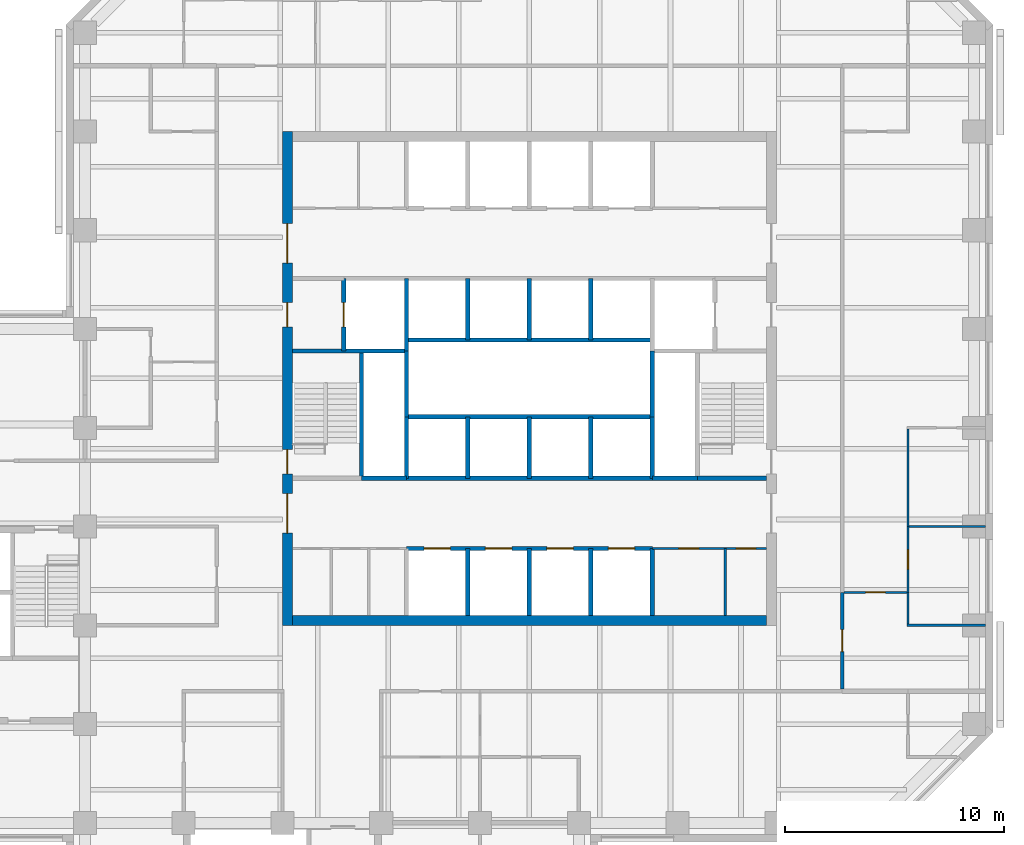
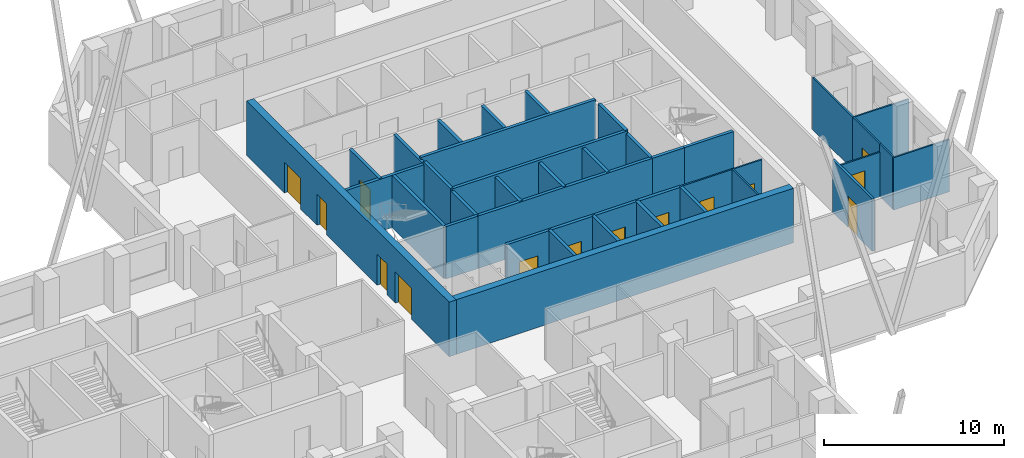
# One storey, part 7 of 11: 36 walls, 14 doors, 14 openings.
"""IFC4 building model written with IfcOpenShell, lengths in metres."""

from ifc_helpers import new_model, si_unit, direction, frame, frame_2d, origin, place, context, subcontext, project, spatial, rectangle, extrude, material, layer, layer_set, type_object, element, fill, save


model = new_model("IFC4")

# Units and contexts
model_context = context("Model", 3, precision=1e-05, world=origin(), true_north=direction((0.0, 1.0)))
body_context = subcontext(model_context, "Body", "Model", "MODEL_VIEW")
ifc_project = project(units=[si_unit("LENGTHUNIT", "METRE"), si_unit("AREAUNIT", "SQUARE_METRE"), si_unit("VOLUMEUNIT", "CUBIC_METRE"), si_unit("PLANEANGLEUNIT", "RADIAN"), si_unit("MASSUNIT", "GRAM", prefix="KILO")], contexts=[model_context])

# Site, building, storey
site_placement = place(None, origin())
site = spatial("IfcSite", under=ifc_project, at=site_placement, CompositionType="ELEMENT")
building_placement = place(site_placement, origin())
building = spatial("IfcBuilding", under=site, at=building_placement, Name="Quoin Convention Tower", CompositionType="ELEMENT")
storey_placement = place(building_placement, frame((0.0, 0.0, 82.60009765625)))
storey = spatial("IfcBuildingStorey", under=building, at=storey_placement, Name="L21", CompositionType="ELEMENT", Elevation=82.60009765625)

# Wall, openings, doors
ifc_material_1 = material(Name="Plasterboard")
ifc_layer_1 = layer(ifc_material_1, 0.012451171875, Name="Finish")
ifc_material_2 = material(Name="Steel stud framing", Category="steel")
ifc_layer_2 = layer(ifc_material_2, 0.074951171875, Name="Structure")
ifc_layer_3 = layer(ifc_material_1, 0.012451171875, Name="Finish")
ifc_layer_set_1 = layer_set([ifc_layer_1, ifc_layer_2, ifc_layer_3], Name="Steel stud framing")
wall_type_1 = type_object("IfcWallType", Name="Core partition wall", PredefinedType="PARTITIONING", material=ifc_layer_set_1)
wall_1_placement = place(storey_placement, frame((61.85009765625, 53.0, 0.0), z_axis=(0.0, 0.0, 1.0), x_axis=(1.0, 0.0, 0.0)))
wall_1 = element("IfcWall", 1, at=wall_1_placement, inside=storey, type_object=wall_type_1, Name="cr-C1-L21-h3500_16850", PredefinedType="PARTITIONING", context=body_context, shape_type="SweptSolid", body=[
    extrude(rectangle(XDim=5.199951171875, YDim=0.10009765625, at=frame_2d((2.60009765625, 0.0))), origin(), (0.0, 0.0, 1.0), 3.5498046875),
])
opening_1_placement = place(wall_1_placement, frame((3.81396484375, 0.0, 0.0)))
opening_1 = element("IfcOpeningElement", 2, at=opening_1_placement, cuts=wall_1, Name="Opening DCV1-25", PredefinedType="OPENING", context=body_context, shape_type="SweptSolid", body=[
    extrude(rectangle(XDim=0.89990234375, YDim=2.10009765625, at=frame_2d((0.449951171875, 1.050048828125))), frame((0.0, 0.06005859375, 0.0), z_axis=(0.0, -1.0, 0.0), x_axis=(1.0, 0.0, 0.0)), (0.0, 0.0, 1.0), 0.1201171875),
])
opening_2_placement = place(wall_1_placement, frame((1.214111328125, 0.0, 0.0)))
opening_2 = element("IfcOpeningElement", 3, at=opening_2_placement, cuts=wall_1, Name="Opening DCV1-21", PredefinedType="OPENING", context=body_context, shape_type="SweptSolid", body=[
    extrude(rectangle(XDim=0.89990234375, YDim=2.10009765625, at=frame_2d((0.449951171875, 1.050048828125))), frame((0.0, 0.06005859375, 0.0), z_axis=(0.0, -1.0, 0.0), x_axis=(1.0, 0.0, 0.0)), (0.0, 0.0, 1.0), 0.1201171875),
])
ifc_material_3 = material(Name="Steel door leaf", Category="steel")
door_type_1 = type_object("IfcDoorType", Name="Core room door 900 x 2100", OperationType="SINGLE_SWING_LEFT", PredefinedType="DOOR", material=ifc_material_3)
door_1_placement = place(opening_1_placement, frame((0.89990234375, 0.0, 0.0), z_axis=(0.0, 0.0, 1.0), x_axis=(-1.0, 0.0, 0.0)))
door_1 = element("IfcDoor", 4, at=door_1_placement, inside=storey, type_object=door_type_1, Name="cd-C1-L21-CSE0-lobA-CD2110", OperationType="SINGLE_SWING_LEFT", OverallHeight=2.10009765625, OverallWidth=0.89990234375, PredefinedType="DOOR", context=body_context, shape_type="SweptSolid", body=[
    extrude(rectangle(XDim=0.89990234375, YDim=2.10009765625, at=frame_2d((0.449951171875, 1.050048828125))), frame((0.0, 0.02490234375, 0.0), z_axis=(0.0, -1.0, 0.0), x_axis=(1.0, 0.0, 0.0)), (0.0, 0.0, 1.0), 0.050048828125),
])
fill(opening_1, door_1)
door_2_placement = place(opening_2_placement, frame((0.89990234375, 0.0, 0.0), z_axis=(0.0, 0.0, 1.0), x_axis=(-1.0, 0.0, 0.0)))
door_2 = element("IfcDoor", 5, at=door_2_placement, inside=storey, type_object=door_type_1, Name="cd-C1-L21-CSE1-lobA-CD2111", OperationType="SINGLE_SWING_RIGHT", OverallHeight=2.10009765625, OverallWidth=0.89990234375, PredefinedType="DOOR", context=body_context, shape_type="SweptSolid", body=[
    extrude(rectangle(XDim=0.89990234375, YDim=2.10009765625, at=frame_2d((0.449951171875, 1.050048828125))), frame((0.0, 0.02490234375, 0.0), z_axis=(0.0, -1.0, 0.0), x_axis=(1.0, 0.0, 0.0)), (0.0, 0.0, 1.0), 0.050048828125),
])
fill(opening_2, door_2)

# Wall
wall_2_placement = place(storey_placement, frame((65.177978515625, 49.949951171875, 0.0), z_axis=(0.0, 0.0, 1.0), x_axis=(0.0, 1.0, 0.0)))
element("IfcWall", 6, at=wall_2_placement, inside=storey, type_object=wall_type_1, Name="cr-C1-L21-v20178_450", PredefinedType="PARTITIONING", context=body_context, shape_type="SweptSolid", body=[
    extrude(rectangle(XDim=3.050048828125, YDim=0.10009765625, at=frame_2d((1.52490234375, 0.0))), origin(), (0.0, 0.0, 1.0), 3.5498046875),
])

# Wall, openings, doors
ifc_material_4 = material(Name="Concrete C50", Category="concrete")
ifc_layer_4 = layer(ifc_material_4, 0.199951171875)
ifc_layer_set_2 = layer_set([ifc_layer_4], Name="Concrete C50")
wall_type_2 = type_object("IfcWallType", Name="Core shaft wall", PredefinedType="SOLIDWALL", material=ifc_layer_set_2)
wall_3_placement = place(storey_placement, frame((50.64990234375, 53.0, 0.0), z_axis=(0.0, 0.0, 1.0), x_axis=(1.0, 0.0, 0.0)))
wall_3 = element("IfcWall", 7, at=wall_3_placement, inside=storey, type_object=wall_type_2, Name="cr-C1-L21-h3500_5650", PredefinedType="SOLIDWALL", context=body_context, shape_type="SweptSolid", body=[
    extrude(rectangle(XDim=11.2001953125, YDim=0.199951171875, at=frame_2d((5.60009765625, 0.0))), origin(), (0.0, 0.0, 1.0), 3.5498046875),
])
opening_3_placement = place(wall_3_placement, frame((0.800048828125, 0.0, 0.0)))
opening_3 = element("IfcOpeningElement", 8, at=opening_3_placement, cuts=wall_3, Name="Opening LDL1", PredefinedType="OPENING", context=body_context, shape_type="SweptSolid", body=[
    extrude(rectangle(XDim=1.199951171875, YDim=2.10009765625, at=frame_2d((0.60009765625, 1.050048828125))), frame((0.0, 0.10986328125, 0.0), z_axis=(0.0, -1.0, 0.0), x_axis=(1.0, 0.0, 0.0)), (0.0, 0.0, 1.0), 0.219970703125),
])
opening_4_placement = place(wall_3_placement, frame((3.60009765625, 0.0, 0.0)))
opening_4 = element("IfcOpeningElement", 9, at=opening_4_placement, cuts=wall_3, Name="Opening LDL2", PredefinedType="OPENING", context=body_context, shape_type="SweptSolid", body=[
    extrude(rectangle(XDim=1.199951171875, YDim=2.10009765625, at=frame_2d((0.60009765625, 1.050048828125))), frame((0.0, 0.10986328125, 0.0), z_axis=(0.0, -1.0, 0.0), x_axis=(1.0, 0.0, 0.0)), (0.0, 0.0, 1.0), 0.219970703125),
])
opening_5_placement = place(wall_3_placement, frame((6.39990234375, 0.0, 0.0)))
opening_5 = element("IfcOpeningElement", 10, at=opening_5_placement, cuts=wall_3, Name="Opening LDL3", PredefinedType="OPENING", context=body_context, shape_type="SweptSolid", body=[
    extrude(rectangle(XDim=1.199951171875, YDim=2.10009765625, at=frame_2d((0.60009765625, 1.050048828125))), frame((0.0, 0.10986328125, 0.0), z_axis=(0.0, -1.0, 0.0), x_axis=(1.0, 0.0, 0.0)), (0.0, 0.0, 1.0), 0.219970703125),
])
opening_6_placement = place(wall_3_placement, frame((9.199951171875, 0.0, 0.0)))
opening_6 = element("IfcOpeningElement", 11, at=opening_6_placement, cuts=wall_3, Name="Opening LDL4", PredefinedType="OPENING", context=body_context, shape_type="SweptSolid", body=[
    extrude(rectangle(XDim=1.199951171875, YDim=2.10009765625, at=frame_2d((0.60009765625, 1.050048828125))), frame((0.0, 0.10986328125, 0.0), z_axis=(0.0, -1.0, 0.0), x_axis=(1.0, 0.0, 0.0)), (0.0, 0.0, 1.0), 0.219970703125),
])
door_type_2 = type_object("IfcDoorType", Name="Lift landing door 1200 x 2100", OperationType="DOUBLE_DOOR_SLIDING", PredefinedType="DOOR", material=ifc_material_3)
door_3_placement = place(opening_3_placement, origin())
door_3 = element("IfcDoor", 12, at=door_3_placement, inside=storey, type_object=door_type_2, Name="cd-C1-L21-R10-lobA-LDL1", OperationType="DOUBLE_DOOR_SLIDING", OverallHeight=2.10009765625, OverallWidth=1.199951171875, PredefinedType="DOOR", context=body_context, shape_type="SweptSolid", body=[
    extrude(rectangle(XDim=1.199951171875, YDim=2.10009765625, at=frame_2d((0.60009765625, 1.050048828125))), frame((0.0, 0.02490234375, 0.0), z_axis=(0.0, -1.0, 0.0), x_axis=(1.0, 0.0, 0.0)), (0.0, 0.0, 1.0), 0.050048828125),
])
fill(opening_3, door_3)
door_4_placement = place(opening_4_placement, origin())
door_4 = element("IfcDoor", 13, at=door_4_placement, inside=storey, type_object=door_type_2, Name="cd-C1-L21-R11-lobA-LDL2", OperationType="DOUBLE_DOOR_SLIDING", OverallHeight=2.10009765625, OverallWidth=1.199951171875, PredefinedType="DOOR", context=body_context, shape_type="SweptSolid", body=[
    extrude(rectangle(XDim=1.199951171875, YDim=2.10009765625, at=frame_2d((0.60009765625, 1.050048828125))), frame((0.0, 0.02490234375, 0.0), z_axis=(0.0, -1.0, 0.0), x_axis=(1.0, 0.0, 0.0)), (0.0, 0.0, 1.0), 0.050048828125),
])
fill(opening_4, door_4)
door_5_placement = place(opening_5_placement, origin())
door_5 = element("IfcDoor", 14, at=door_5_placement, inside=storey, type_object=door_type_2, Name="cd-C1-L21-R12-lobA-LDL3", OperationType="DOUBLE_DOOR_SLIDING", OverallHeight=2.10009765625, OverallWidth=1.199951171875, PredefinedType="DOOR", context=body_context, shape_type="SweptSolid", body=[
    extrude(rectangle(XDim=1.199951171875, YDim=2.10009765625, at=frame_2d((0.60009765625, 1.050048828125))), frame((0.0, 0.02490234375, 0.0), z_axis=(0.0, -1.0, 0.0), x_axis=(1.0, 0.0, 0.0)), (0.0, 0.0, 1.0), 0.050048828125),
])
fill(opening_5, door_5)
door_6_placement = place(opening_6_placement, origin())
door_6 = element("IfcDoor", 15, at=door_6_placement, inside=storey, type_object=door_type_2, Name="cd-C1-L21-R13-lobA-LDL4", OperationType="DOUBLE_DOOR_SLIDING", OverallHeight=2.10009765625, OverallWidth=1.199951171875, PredefinedType="DOOR", context=body_context, shape_type="SweptSolid", body=[
    extrude(rectangle(XDim=1.199951171875, YDim=2.10009765625, at=frame_2d((0.60009765625, 1.050048828125))), frame((0.0, 0.02490234375, 0.0), z_axis=(0.0, -1.0, 0.0), x_axis=(1.0, 0.0, 0.0)), (0.0, 0.0, 1.0), 0.050048828125),
])
fill(opening_6, door_6)

# Walls
for number, where, z_axis, x_axis, name in (
    (16, (48.60009765625, 56.199951171875, 0.0), (0.0, 0.0, 1.0), (1.0, 0.0, 0.0), "cr-C1-L21-h6700_3600"),
    (17, (61.85009765625, 56.199951171875, 0.0), (0.0, 0.0, 1.0), (1.0, 0.0, 0.0), "cr-C1-L21-h6700_16850"),
):
    element("IfcWall", number, at=place(storey_placement, frame(where, z_axis=z_axis, x_axis=x_axis)), inside=storey, type_object=wall_type_2, Name=name, PredefinedType="SOLIDWALL", context=body_context, shape_type="SweptSolid", body=[
        extrude(rectangle(XDim=2.0498046875, YDim=0.199951171875, at=frame_2d((1.02490234375, 0.0))), origin(), (0.0, 0.0, 1.0), 3.5498046875),
    ])
wall_4_placement = place(storey_placement, frame((50.64990234375, 56.199951171875, 0.0), z_axis=(0.0, 0.0, 1.0), x_axis=(1.0, 0.0, 0.0)))
element("IfcWall", 18, at=wall_4_placement, inside=storey, type_object=wall_type_2, Name="cr-C1-L21-h6700_5650", PredefinedType="SOLIDWALL", context=body_context, shape_type="SweptSolid", body=[
    extrude(rectangle(XDim=11.2001953125, YDim=0.199951171875, at=frame_2d((5.60009765625, 0.0))), origin(), (0.0, 0.0, 1.0), 3.5498046875),
])
wall_5_placement = place(storey_placement, frame((63.89990234375, 56.199951171875, 0.0), z_axis=(0.0, 0.0, 1.0), x_axis=(1.0, 0.0, 0.0)))
element("IfcWall", 19, at=wall_5_placement, inside=storey, type_object=wall_type_2, Name="cr-C1-L21-h6700_18900", PredefinedType="SOLIDWALL", context=body_context, shape_type="SweptSolid", body=[
    extrude(rectangle(XDim=3.150146484375, YDim=0.199951171875, at=frame_2d((1.5751953125, 0.0))), origin(), (0.0, 0.0, 1.0), 3.5498046875),
])
wall_6_placement = place(storey_placement, frame((45.449951171875, 62.0, 0.0), z_axis=(0.0, 0.0, 1.0), x_axis=(1.0, 0.0, 0.0)))
element("IfcWall", 20, at=wall_6_placement, inside=storey, type_object=wall_type_2, Name="cr-C1-L21-h12500_450", PredefinedType="SOLIDWALL", context=body_context, shape_type="SweptSolid", body=[
    extrude(rectangle(XDim=5.199951171875, YDim=0.199951171875, at=frame_2d((2.60009765625, 0.0))), origin(), (0.0, 0.0, 1.0), 3.5498046875),
])

# Wall, opening, door
wall_7_placement = place(storey_placement, frame((47.800048828125, 62.0, 0.0), z_axis=(0.0, 0.0, 1.0), x_axis=(0.0, 1.0, 0.0)))
wall_7 = element("IfcWall", 21, at=wall_7_placement, inside=storey, type_object=wall_type_2, Name="cr-C1-L21-v2800_12500", PredefinedType="SOLIDWALL", context=body_context, shape_type="SweptSolid", body=[
    extrude(rectangle(XDim=3.300048828125, YDim=0.199951171875, at=frame_2d((1.64990234375, 0.0))), origin(), (0.0, 0.0, 1.0), 3.5498046875),
])
opening_7_placement = place(wall_7_placement, frame((1.10009765625, 0.0, 0.0)))
opening_7 = element("IfcOpeningElement", 22, at=opening_7_placement, cuts=wall_7, Name="Opening LDFL1", PredefinedType="OPENING", context=body_context, shape_type="SweptSolid", body=[
    extrude(rectangle(XDim=1.10009765625, YDim=2.10009765625, at=frame_2d((0.550048828125, 1.050048828125))), frame((0.0, 0.10986328125, 0.0), z_axis=(0.0, -1.0, 0.0), x_axis=(1.0, 0.0, 0.0)), (0.0, 0.0, 1.0), 0.219970703125),
])
door_type_3 = type_object("IfcDoorType", Name="Lift landing door 1100 x 2100", OperationType="DOUBLE_DOOR_SLIDING", PredefinedType="DOOR", material=ifc_material_3)
door_7_placement = place(opening_7_placement, origin())
door_7 = element("IfcDoor", 23, at=door_7_placement, inside=storey, type_object=door_type_3, Name="cd-C1-L21-FLW-FFW-LDFL1", OperationType="DOUBLE_DOOR_SLIDING", OverallHeight=2.10009765625, OverallWidth=1.10009765625, PredefinedType="DOOR", context=body_context, shape_type="SweptSolid", body=[
    extrude(rectangle(XDim=1.10009765625, YDim=2.10009765625, at=frame_2d((0.550048828125, 1.050048828125))), frame((0.0, 0.02490234375, 0.0), z_axis=(0.0, -1.0, 0.0), x_axis=(1.0, 0.0, 0.0)), (0.0, 0.0, 1.0), 0.050048828125),
])
fill(opening_7, door_7)

# Walls
wall_8_placement = place(storey_placement, frame((48.60009765625, 56.199951171875, 0.0), z_axis=(0.0, 0.0, 1.0), x_axis=(0.0, 1.0, 0.0)))
element("IfcWall", 24, at=wall_8_placement, inside=storey, type_object=wall_type_2, Name="cr-C1-L21-v3600_6700", PredefinedType="SOLIDWALL", context=body_context, shape_type="SweptSolid", body=[
    extrude(rectangle(XDim=5.800048828125, YDim=0.199951171875, at=frame_2d((2.89990234375, 0.0))), origin(), (0.0, 0.0, 1.0), 3.5498046875),
])
wall_9_placement = place(storey_placement, frame((50.64990234375, 56.199951171875, 0.0), z_axis=(0.0, 0.0, 1.0), x_axis=(0.0, 1.0, 0.0)))
element("IfcWall", 25, at=wall_9_placement, inside=storey, type_object=wall_type_2, Name="cr-C1-L21-v5650_6700", PredefinedType="SOLIDWALL", context=body_context, shape_type="SweptSolid", body=[
    extrude(rectangle(XDim=2.800048828125, YDim=0.199951171875, at=frame_2d((1.39990234375, 0.0))), origin(), (0.0, 0.0, 1.0), 3.5498046875),
])
wall_10_placement = place(storey_placement, frame((50.64990234375, 62.0, 0.0), z_axis=(0.0, 0.0, 1.0), x_axis=(0.0, 1.0, 0.0)))
element("IfcWall", 26, at=wall_10_placement, inside=storey, type_object=wall_type_2, Name="cr-C1-L21-v5650_12500", PredefinedType="SOLIDWALL", context=body_context, shape_type="SweptSolid", body=[
    extrude(rectangle(XDim=3.300048828125, YDim=0.199951171875, at=frame_2d((1.64990234375, 0.0))), origin(), (0.0, 0.0, 1.0), 3.5498046875),
])
wall_11_placement = place(storey_placement, frame((53.449951171875, 49.949951171875, 0.0), z_axis=(0.0, 0.0, 1.0), x_axis=(0.0, 1.0, 0.0)))
element("IfcWall", 27, at=wall_11_placement, inside=storey, type_object=wall_type_2, Name="cr-C1-L21-v8450_450", PredefinedType="SOLIDWALL", context=body_context, shape_type="SweptSolid", body=[
    extrude(rectangle(XDim=3.050048828125, YDim=0.199951171875, at=frame_2d((1.52490234375, 0.0))), origin(), (0.0, 0.0, 1.0), 3.5498046875),
])
for number, where, z_axis, x_axis, name in (
    (28, (53.449951171875, 56.199951171875, 0.0), (0.0, 0.0, 1.0), (0.0, 1.0, 0.0), "cr-C1-L21-v8450_6700"),
    (29, (53.449951171875, 62.5, 0.0), (0.0, 0.0, 1.0), (0.0, 1.0, 0.0), "cr-C1-L21-v8450_13000"),
):
    element("IfcWall", number, at=place(storey_placement, frame(where, z_axis=z_axis, x_axis=x_axis)), inside=storey, type_object=wall_type_2, Name=name, PredefinedType="SOLIDWALL", context=body_context, shape_type="SweptSolid", body=[
        extrude(rectangle(XDim=2.800048828125, YDim=0.199951171875, at=frame_2d((1.39990234375, 0.0))), origin(), (0.0, 0.0, 1.0), 3.5498046875),
    ])
wall_12_placement = place(storey_placement, frame((56.25, 49.949951171875, 0.0), z_axis=(0.0, 0.0, 1.0), x_axis=(0.0, 1.0, 0.0)))
element("IfcWall", 30, at=wall_12_placement, inside=storey, type_object=wall_type_2, Name="cr-C1-L21-v11250_450", PredefinedType="SOLIDWALL", context=body_context, shape_type="SweptSolid", body=[
    extrude(rectangle(XDim=3.050048828125, YDim=0.199951171875, at=frame_2d((1.52490234375, 0.0))), origin(), (0.0, 0.0, 1.0), 3.5498046875),
])
for number, where, z_axis, x_axis, name in (
    (31, (56.25, 56.199951171875, 0.0), (0.0, 0.0, 1.0), (0.0, 1.0, 0.0), "cr-C1-L21-v11250_6700"),
    (32, (56.25, 62.5, 0.0), (0.0, 0.0, 1.0), (0.0, 1.0, 0.0), "cr-C1-L21-v11250_13000"),
):
    element("IfcWall", number, at=place(storey_placement, frame(where, z_axis=z_axis, x_axis=x_axis)), inside=storey, type_object=wall_type_2, Name=name, PredefinedType="SOLIDWALL", context=body_context, shape_type="SweptSolid", body=[
        extrude(rectangle(XDim=2.800048828125, YDim=0.199951171875, at=frame_2d((1.39990234375, 0.0))), origin(), (0.0, 0.0, 1.0), 3.5498046875),
    ])
wall_13_placement = place(storey_placement, frame((59.050048828125, 49.949951171875, 0.0), z_axis=(0.0, 0.0, 1.0), x_axis=(0.0, 1.0, 0.0)))
element("IfcWall", 33, at=wall_13_placement, inside=storey, type_object=wall_type_2, Name="cr-C1-L21-v14050_450", PredefinedType="SOLIDWALL", context=body_context, shape_type="SweptSolid", body=[
    extrude(rectangle(XDim=3.050048828125, YDim=0.199951171875, at=frame_2d((1.52490234375, 0.0))), origin(), (0.0, 0.0, 1.0), 3.5498046875),
])
for number, where, z_axis, x_axis, name in (
    (34, (59.050048828125, 56.199951171875, 0.0), (0.0, 0.0, 1.0), (0.0, 1.0, 0.0), "cr-C1-L21-v14050_6700"),
    (35, (59.050048828125, 62.5, 0.0), (0.0, 0.0, 1.0), (0.0, 1.0, 0.0), "cr-C1-L21-v14050_13000"),
):
    element("IfcWall", number, at=place(storey_placement, frame(where, z_axis=z_axis, x_axis=x_axis)), inside=storey, type_object=wall_type_2, Name=name, PredefinedType="SOLIDWALL", context=body_context, shape_type="SweptSolid", body=[
        extrude(rectangle(XDim=2.800048828125, YDim=0.199951171875, at=frame_2d((1.39990234375, 0.0))), origin(), (0.0, 0.0, 1.0), 3.5498046875),
    ])
wall_14_placement = place(storey_placement, frame((61.85009765625, 49.949951171875, 0.0), z_axis=(0.0, 0.0, 1.0), x_axis=(0.0, 1.0, 0.0)))
element("IfcWall", 36, at=wall_14_placement, inside=storey, type_object=wall_type_2, Name="cr-C1-L21-v16850_450", PredefinedType="SOLIDWALL", context=body_context, shape_type="SweptSolid", body=[
    extrude(rectangle(XDim=3.050048828125, YDim=0.199951171875, at=frame_2d((1.52490234375, 0.0))), origin(), (0.0, 0.0, 1.0), 3.5498046875),
])
wall_15_placement = place(storey_placement, frame((61.85009765625, 56.199951171875, 0.0), z_axis=(0.0, 0.0, 1.0), x_axis=(0.0, 1.0, 0.0)))
element("IfcWall", 37, at=wall_15_placement, inside=storey, type_object=wall_type_2, Name="cr-C1-L21-v16850_6700", PredefinedType="SOLIDWALL", context=body_context, shape_type="SweptSolid", body=[
    extrude(rectangle(XDim=2.800048828125, YDim=0.199951171875, at=frame_2d((1.39990234375, 0.0))), origin(), (0.0, 0.0, 1.0), 3.5498046875),
])
ifc_layer_5 = layer(ifc_material_4, 0.199951171875)
ifc_layer_set_3 = layer_set([ifc_layer_5], Name="Concrete C50")
wall_type_3 = type_object("IfcWallType", Name="Core shaft wall to the floor level over", PredefinedType="SOLIDWALL", material=ifc_layer_set_3)
for number, where, z_axis, x_axis, name in (
    (38, (50.64990234375, 59.0, 0.0), (0.0, 0.0, 1.0), (1.0, 0.0, 0.0), "cr-C1-L21-h9500_5650"),
    (39, (50.64990234375, 62.5, 0.0), (0.0, 0.0, 1.0), (1.0, 0.0, 0.0), "cr-C1-L21-h13000_5650"),
):
    element("IfcWall", number, at=place(storey_placement, frame(where, z_axis=z_axis, x_axis=x_axis)), inside=storey, type_object=wall_type_3, Name=name, PredefinedType="SOLIDWALL", context=body_context, shape_type="SweptSolid", body=[
        extrude(rectangle(XDim=11.2001953125, YDim=0.199951171875, at=frame_2d((5.60009765625, 0.0))), origin(), (0.0, 0.0, 1.0), 3.699951171875),
    ])
for number, where, z_axis, x_axis, name in (
    (40, (50.64990234375, 59.0, 0.0), (0.0, 0.0, 1.0), (0.0, 1.0, 0.0), "cr-C1-L21-v5650_9500"),
    (41, (61.85009765625, 59.0, 0.0), (0.0, 0.0, 1.0), (0.0, 1.0, 0.0), "cr-C1-L21-v16850_9500"),
):
    element("IfcWall", number, at=place(storey_placement, frame(where, z_axis=z_axis, x_axis=x_axis)), inside=storey, type_object=wall_type_3, Name=name, PredefinedType="SOLIDWALL", context=body_context, shape_type="SweptSolid", body=[
        extrude(rectangle(XDim=3.0, YDim=0.199951171875, at=frame_2d((1.5, 0.0))), origin(), (0.0, 0.0, 1.0), 3.699951171875),
    ])

# Wall, opening, door
ifc_layer_6 = layer(ifc_material_1, 0.012451171875, Name="Finish")
ifc_layer_7 = layer(ifc_material_2, 0.125, Name="Structure")
ifc_layer_8 = layer(ifc_material_1, 0.012451171875, Name="Finish")
ifc_layer_set_4 = layer_set([ifc_layer_6, ifc_layer_7, ifc_layer_8], Name="Steel stud framing")
wall_type_4 = type_object("IfcWallType", Name="Corridor wall 150", PredefinedType="PARTITIONING", material=ifc_layer_set_4)
wall_16_placement = place(storey_placement, frame((70.5, 46.60009765625, 0.0), z_axis=(0.0, 0.0, 1.0), x_axis=(0.0, 1.0, 0.0)))
wall_16 = element("IfcWall", 42, at=wall_16_placement, inside=storey, type_object=wall_type_4, Name="pw-L21-087", PredefinedType="PARTITIONING", context=body_context, shape_type="SweptSolid", body=[
    extrude(rectangle(XDim=4.39990234375, YDim=0.14990234375, at=frame_2d((2.199951171875, 0.0))), origin(), (0.0, 0.0, 1.0), 3.5498046875),
])
opening_8_placement = place(wall_16_placement, frame((1.699951171875, 0.0, 0.0)))
opening_8 = element("IfcOpeningElement", 43, at=opening_8_placement, cuts=wall_16, Name="Opening DOL1-27", PredefinedType="OPENING", context=body_context, shape_type="SweptSolid", body=[
    extrude(rectangle(XDim=1.0, YDim=2.10009765625, at=frame_2d((0.5, 1.050048828125))), frame((0.0, 0.0849609375, 0.0), z_axis=(0.0, -1.0, 0.0), x_axis=(1.0, 0.0, 0.0)), (0.0, 0.0, 1.0), 0.169921875),
])
door_type_4 = type_object("IfcDoorType", Name="Tenancy entrance door 1000 x 2100", OperationType="DOUBLE_DOOR_SINGLE_SWING", PredefinedType="DOOR", material=ifc_material_3)
door_8_placement = place(opening_8_placement, frame((1.0, 0.0, 0.0), z_axis=(0.0, 0.0, 1.0), x_axis=(-1.0, 0.0, 0.0)))
door_8 = element("IfcDoor", 44, at=door_8_placement, inside=storey, type_object=door_type_4, Name="dr-L21-28", OperationType="DOUBLE_DOOR_SINGLE_SWING", OverallHeight=2.10009765625, OverallWidth=1.0, PredefinedType="DOOR", context=body_context, shape_type="SweptSolid", body=[
    extrude(rectangle(XDim=1.0, YDim=2.10009765625, at=frame_2d((0.5, 1.050048828125))), frame((0.0, 0.02490234375, 0.0), z_axis=(0.0, -1.0, 0.0), x_axis=(1.0, 0.0, 0.0)), (0.0, 0.0, 1.0), 0.050048828125),
])
fill(opening_8, door_8)

# Wall
ifc_material_5 = material(Name="Concrete C65", Category="concrete")
ifc_layer_9 = layer(ifc_material_5, 0.449951171875)
ifc_layer_set_5 = layer_set([ifc_layer_9], Name="Concrete C65")
wall_type_5 = type_object("IfcWallType", Name="RC CORE WALL 450 C65", PredefinedType="SHEAR", material=ifc_layer_set_5)
wall_17_placement = place(storey_placement, frame((45.449951171875, 49.72509765625, 0.0), z_axis=(0.0, 0.0, 1.0), x_axis=(1.0, 0.0, 0.0)))
element("IfcWall", 45, at=wall_17_placement, inside=storey, type_object=wall_type_5, Name="cwl-C1-L21-S", PredefinedType="SHEAR", context=body_context, shape_type="SweptSolid", body=[
    extrude(rectangle(XDim=21.60009765625, YDim=0.449951171875, at=frame_2d((10.800048828125, 0.0))), origin(), (0.0, 0.0, 1.0), 3.699951171875),
])

# Wall, openings, doors
wall_18_placement = place(storey_placement, frame((45.22509765625, 49.5, 0.0), z_axis=(0.0, 0.0, 1.0), x_axis=(0.0, 1.0, 0.0)))
wall_18 = element("IfcWall", 46, at=wall_18_placement, inside=storey, type_object=wall_type_5, Name="cwl-C1-L21-W", PredefinedType="SHEAR", context=body_context, shape_type="SweptSolid", body=[
    extrude(rectangle(XDim=22.5, YDim=0.449951171875, at=frame_2d((11.25, 0.0))), origin(), (0.0, 0.0, 1.0), 3.699951171875),
])
opening_9_placement = place(wall_18_placement, frame((4.199951171875, 0.0, 0.0)))
opening_9 = element("IfcOpeningElement", 47, at=opening_9_placement, cuts=wall_18, Name="Opening DCV1-49", PredefinedType="OPENING", context=body_context, shape_type="SweptSolid", body=[
    extrude(rectangle(XDim=1.800048828125, YDim=2.10009765625, at=frame_2d((0.89990234375, 1.050048828125))), frame((0.0, 0.23486328125, 0.0), z_axis=(0.0, -1.0, 0.0), x_axis=(1.0, 0.0, 0.0)), (0.0, 0.0, 1.0), 0.469970703125),
])
opening_10_placement = place(wall_18_placement, frame((6.89990234375, 0.0, 0.0)))
opening_10 = element("IfcOpeningElement", 48, at=opening_10_placement, cuts=wall_18, Name="Opening SD1", PredefinedType="OPENING", context=body_context, shape_type="SweptSolid", body=[
    extrude(rectangle(XDim=1.10009765625, YDim=2.10009765625, at=frame_2d((0.550048828125, 1.050048828125))), frame((0.0, 0.23486328125, 0.0), z_axis=(0.0, -1.0, 0.0), x_axis=(1.0, 0.0, 0.0)), (0.0, 0.0, 1.0), 0.469970703125),
])
opening_11_placement = place(wall_18_placement, frame((13.60009765625, 0.0, 0.0)))
opening_11 = element("IfcOpeningElement", 49, at=opening_11_placement, cuts=wall_18, Name="Opening DCV1-48", PredefinedType="OPENING", context=body_context, shape_type="SweptSolid", body=[
    extrude(rectangle(XDim=1.10009765625, YDim=2.10009765625, at=frame_2d((0.550048828125, 1.050048828125))), frame((0.0, 0.23486328125, 0.0), z_axis=(0.0, -1.0, 0.0), x_axis=(1.0, 0.0, 0.0)), (0.0, 0.0, 1.0), 0.469970703125),
])
opening_12_placement = place(wall_18_placement, frame((16.5, 0.0, 0.0)))
opening_12 = element("IfcOpeningElement", 50, at=opening_12_placement, cuts=wall_18, Name="Opening DCV1-49", PredefinedType="OPENING", context=body_context, shape_type="SweptSolid", body=[
    extrude(rectangle(XDim=1.800048828125, YDim=2.10009765625, at=frame_2d((0.89990234375, 1.050048828125))), frame((0.0, 0.23486328125, 0.0), z_axis=(0.0, -1.0, 0.0), x_axis=(1.0, 0.0, 0.0)), (0.0, 0.0, 1.0), 0.469970703125),
])
door_type_5 = type_object("IfcDoorType", Name="Fire-fighting lobby door 1100 x 2100", OperationType="SINGLE_SWING_LEFT", PredefinedType="DOOR", material=ifc_material_3)
door_9_placement = place(opening_11_placement, frame((1.10009765625, 0.0, 0.0), z_axis=(0.0, 0.0, 1.0), x_axis=(-1.0, 0.0, 0.0)))
door_9 = element("IfcDoor", 51, at=door_9_placement, inside=storey, type_object=door_type_5, Name="cd-C1-L21-FFW-W", OperationType="SINGLE_SWING_LEFT", OverallHeight=2.10009765625, OverallWidth=1.10009765625, PredefinedType="DOOR", context=body_context, shape_type="SweptSolid", body=[
    extrude(rectangle(XDim=1.10009765625, YDim=2.10009765625, at=frame_2d((0.550048828125, 1.050048828125))), frame((0.0, 0.02490234375, 0.0), z_axis=(0.0, -1.0, 0.0), x_axis=(1.0, 0.0, 0.0)), (0.0, 0.0, 1.0), 0.050048828125),
])
fill(opening_11, door_9)
door_type_6 = type_object("IfcDoorType", Name="Lift lobby door 1800 x 2100", OperationType="SINGLE_SWING_LEFT", PredefinedType="DOOR", material=ifc_material_3)
door_10_placement = place(opening_9_placement, frame((1.800048828125, 0.0, 0.0), z_axis=(0.0, 0.0, 1.0), x_axis=(-1.0, 0.0, 0.0)))
door_10 = element("IfcDoor", 52, at=door_10_placement, inside=storey, type_object=door_type_6, Name="cd-C1-L21-lobA-W", OperationType="SINGLE_SWING_LEFT", OverallHeight=2.10009765625, OverallWidth=1.800048828125, PredefinedType="DOOR", context=body_context, shape_type="SweptSolid", body=[
    extrude(rectangle(XDim=1.800048828125, YDim=2.10009765625, at=frame_2d((0.89990234375, 1.050048828125))), frame((0.0, 0.02490234375, 0.0), z_axis=(0.0, -1.0, 0.0), x_axis=(1.0, 0.0, 0.0)), (0.0, 0.0, 1.0), 0.050048828125),
])
fill(opening_9, door_10)
door_11_placement = place(opening_12_placement, frame((1.800048828125, 0.0, 0.0), z_axis=(0.0, 0.0, 1.0), x_axis=(-1.0, 0.0, 0.0)))
door_11 = element("IfcDoor", 53, at=door_11_placement, inside=storey, type_object=door_type_6, Name="cd-C1-L21-lobB-W", OperationType="SINGLE_SWING_LEFT", OverallHeight=2.10009765625, OverallWidth=1.800048828125, PredefinedType="DOOR", context=body_context, shape_type="SweptSolid", body=[
    extrude(rectangle(XDim=1.800048828125, YDim=2.10009765625, at=frame_2d((0.89990234375, 1.050048828125))), frame((0.0, 0.02490234375, 0.0), z_axis=(0.0, -1.0, 0.0), x_axis=(1.0, 0.0, 0.0)), (0.0, 0.0, 1.0), 0.050048828125),
])
fill(opening_12, door_11)
door_type_7 = type_object("IfcDoorType", Name="Stair door 1100 x 2100", OperationType="SINGLE_SWING_RIGHT", PredefinedType="DOOR", material=ifc_material_3)
door_12_placement = place(opening_10_placement, frame((1.10009765625, 0.0, 0.0), z_axis=(0.0, 0.0, 1.0), x_axis=(-1.0, 0.0, 0.0)))
door_12 = element("IfcDoor", 54, at=door_12_placement, inside=storey, type_object=door_type_7, Name="cd-C1-L21-STW-W", OperationType="SINGLE_SWING_RIGHT", OverallHeight=2.10009765625, OverallWidth=1.10009765625, PredefinedType="DOOR", context=body_context, shape_type="SweptSolid", body=[
    extrude(rectangle(XDim=1.10009765625, YDim=2.10009765625, at=frame_2d((0.550048828125, 1.050048828125))), frame((0.0, 0.02490234375, 0.0), z_axis=(0.0, -1.0, 0.0), x_axis=(1.0, 0.0, 0.0)), (0.0, 0.0, 1.0), 0.050048828125),
])
fill(opening_10, door_12)

# Walls
ifc_layer_10 = layer(ifc_material_1, 0.012451171875, Name="Finish")
ifc_layer_11 = layer(ifc_material_2, 0.074951171875, Name="Structure")
ifc_layer_12 = layer(ifc_material_1, 0.012451171875, Name="Finish")
ifc_layer_set_6 = layer_set([ifc_layer_10, ifc_layer_11, ifc_layer_12], Name="Steel stud framing")
wall_type_6 = type_object("IfcWallType", Name="Stud partition 100", PredefinedType="PARTITIONING", material=ifc_layer_set_6)
wall_19_placement = place(storey_placement, frame((73.449951171875, 49.5, 0.0), z_axis=(0.0, 0.0, 1.0), x_axis=(1.0, 0.0, 0.0)))
element("IfcWall", 55, at=wall_19_placement, inside=storey, type_object=wall_type_6, Name="pw-L21-031", PredefinedType="PARTITIONING", context=body_context, shape_type="SweptSolid", body=[
    extrude(rectangle(XDim=3.574951171875, YDim=0.10009765625, at=frame_2d((1.78759765625, 0.0))), origin(), (0.0, 0.0, 1.0), 3.5498046875),
])
wall_20_placement = place(storey_placement, frame((73.550048828125, 54.0, 0.0), z_axis=(0.0, 0.0, 1.0), x_axis=(1.0, 0.0, 0.0)))
element("IfcWall", 56, at=wall_20_placement, inside=storey, type_object=wall_type_6, Name="pw-L21-036", PredefinedType="PARTITIONING", context=body_context, shape_type="SweptSolid", body=[
    extrude(rectangle(XDim=3.474853515625, YDim=0.10009765625, at=frame_2d((1.7373046875, 0.0))), origin(), (0.0, 0.0, 1.0), 3.5498046875),
])
wall_21_placement = place(storey_placement, frame((73.5, 49.550048828125, 0.0), z_axis=(0.0, 0.0, 1.0), x_axis=(0.0, 1.0, 0.0)))
element("IfcWall", 57, at=wall_21_placement, inside=storey, type_object=wall_type_6, Name="pw-L21-089", PredefinedType="PARTITIONING", context=body_context, shape_type="SweptSolid", body=[
    extrude(rectangle(XDim=1.449951171875, YDim=0.10009765625, at=frame_2d((0.72509765625, 0.0))), origin(), (0.0, 0.0, 1.0), 3.5498046875),
])

# Wall, opening, door
wall_22_placement = place(storey_placement, frame((73.5, 51.0, 0.0), z_axis=(0.0, 0.0, 1.0), x_axis=(0.0, 1.0, 0.0)))
wall_22 = element("IfcWall", 58, at=wall_22_placement, inside=storey, type_object=wall_type_6, Name="pw-L21-093", PredefinedType="PARTITIONING", context=body_context, shape_type="SweptSolid", body=[
    extrude(rectangle(XDim=3.0, YDim=0.10009765625, at=frame_2d((1.5, 0.0))), origin(), (0.0, 0.0, 1.0), 3.5498046875),
])
opening_13_placement = place(wall_22_placement, frame((1.050048828125, 0.0, 0.0)))
opening_13 = element("IfcOpeningElement", 59, at=opening_13_placement, cuts=wall_22, Name="Opening DOL1-29", PredefinedType="OPENING", context=body_context, shape_type="SweptSolid", body=[
    extrude(rectangle(XDim=0.89990234375, YDim=2.10009765625, at=frame_2d((0.449951171875, 1.050048828125))), frame((0.0, 0.06005859375, 0.0), z_axis=(0.0, -1.0, 0.0), x_axis=(1.0, 0.0, 0.0)), (0.0, 0.0, 1.0), 0.1201171875),
])
door_type_8 = type_object("IfcDoorType", Name="Office door 900 x 2100", OperationType="SINGLE_SWING_RIGHT", PredefinedType="DOOR", material=ifc_material_3)
door_13_placement = place(opening_13_placement, origin())
door_13 = element("IfcDoor", 60, at=door_13_placement, inside=storey, type_object=door_type_8, Name="dr-L21-30", OperationType="SINGLE_SWING_RIGHT", OverallHeight=2.10009765625, OverallWidth=0.89990234375, PredefinedType="DOOR", context=body_context, shape_type="SweptSolid", body=[
    extrude(rectangle(XDim=0.89990234375, YDim=2.10009765625, at=frame_2d((0.449951171875, 1.050048828125))), frame((0.0, 0.02490234375, 0.0), z_axis=(0.0, -1.0, 0.0), x_axis=(1.0, 0.0, 0.0)), (0.0, 0.0, 1.0), 0.050048828125),
])
fill(opening_13, door_13)

# Wall
wall_23_placement = place(storey_placement, frame((73.5, 54.0, 0.0), z_axis=(0.0, 0.0, 1.0), x_axis=(0.0, 1.0, 0.0)))
element("IfcWall", 61, at=wall_23_placement, inside=storey, type_object=wall_type_6, Name="pw-L21-094", PredefinedType="PARTITIONING", context=body_context, shape_type="SweptSolid", body=[
    extrude(rectangle(XDim=4.449951171875, YDim=0.10009765625, at=frame_2d((2.22509765625, 0.0))), origin(), (0.0, 0.0, 1.0), 3.5498046875),
])

# Wall, opening, door
ifc_layer_13 = layer(ifc_material_1, 0.012451171875, Name="Finish")
ifc_layer_14 = layer(ifc_material_2, 0.074951171875, Name="Structure")
ifc_layer_15 = layer(ifc_material_1, 0.012451171875, Name="Finish")
ifc_layer_set_7 = layer_set([ifc_layer_13, ifc_layer_14, ifc_layer_15], Name="Steel stud framing")
wall_type_7 = type_object("IfcWallType", Name="Stud partition 100 under beam 528", PredefinedType="PARTITIONING", material=ifc_layer_set_7)
wall_24_placement = place(storey_placement, frame((70.574951171875, 51.0, 0.0), z_axis=(0.0, 0.0, 1.0), x_axis=(1.0, 0.0, 0.0)))
wall_24 = element("IfcWall", 62, at=wall_24_placement, inside=storey, type_object=wall_type_7, Name="pw-L21-033", PredefinedType="PARTITIONING", context=body_context, shape_type="SweptSolid", body=[
    extrude(rectangle(XDim=2.875, YDim=0.10009765625, at=frame_2d((1.4375, 0.0))), origin(), (0.0, 0.0, 1.0), 3.02197265625),
])
opening_14_placement = place(wall_24_placement, frame((1.0, 0.0, 0.0)))
opening_14 = element("IfcOpeningElement", 63, at=opening_14_placement, cuts=wall_24, Name="Opening DOL1-12", PredefinedType="OPENING", context=body_context, shape_type="SweptSolid", body=[
    extrude(rectangle(XDim=0.89990234375, YDim=2.10009765625, at=frame_2d((0.449951171875, 1.050048828125))), frame((0.0, 0.06005859375, 0.0), z_axis=(0.0, -1.0, 0.0), x_axis=(1.0, 0.0, 0.0)), (0.0, 0.0, 1.0), 0.1201171875),
])
door_14_placement = place(opening_14_placement, origin())
door_14 = element("IfcDoor", 64, at=door_14_placement, inside=storey, type_object=door_type_8, Name="dr-L21-29", OperationType="SINGLE_SWING_RIGHT", OverallHeight=2.10009765625, OverallWidth=0.89990234375, PredefinedType="DOOR", context=body_context, shape_type="SweptSolid", body=[
    extrude(rectangle(XDim=0.89990234375, YDim=2.10009765625, at=frame_2d((0.449951171875, 1.050048828125))), frame((0.0, 0.02490234375, 0.0), z_axis=(0.0, -1.0, 0.0), x_axis=(1.0, 0.0, 0.0)), (0.0, 0.0, 1.0), 0.050048828125),
])
fill(opening_14, door_14)

save(model, "model.ifc")
